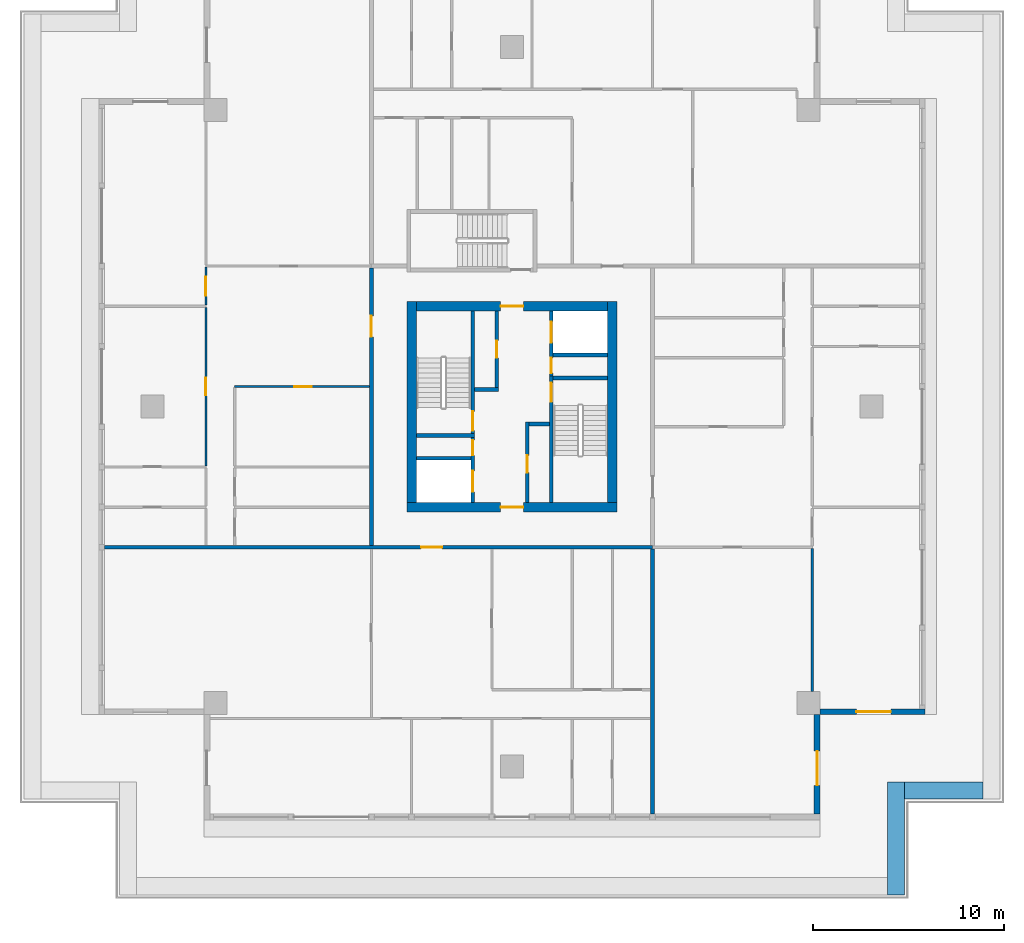
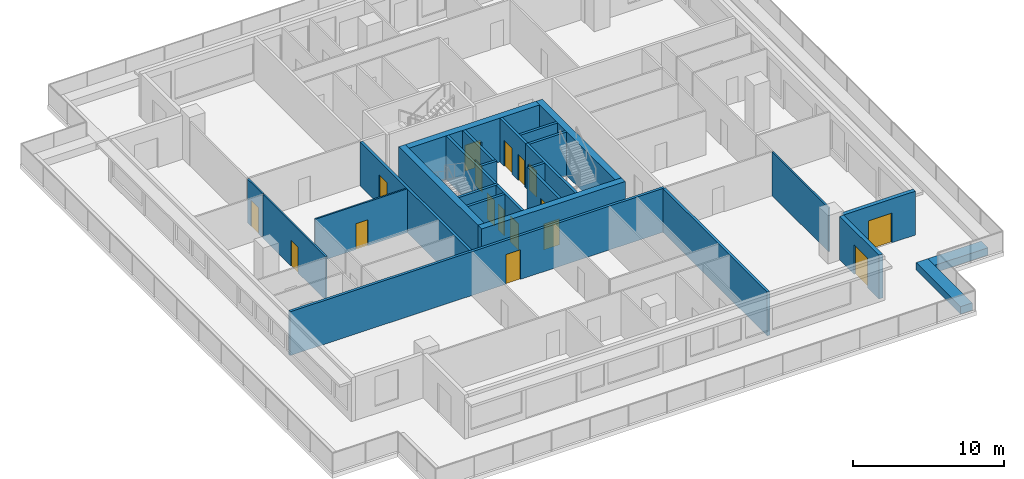
# One storey, part 3 of 11: 27 walls, 17 doors, 17 openings.
"""IFC4 building model written with IfcOpenShell, lengths in metres."""

from ifc_helpers import new_model, si_unit, direction, frame, frame_2d, origin, place, context, subcontext, project, spatial, rectangle, extrude, material, layer, layer_set, type_object, element, fill, save


model = new_model("IFC4")

# Units and contexts
model_context = context("Model", 3, precision=1e-05, world=origin(), true_north=direction((0.0, 1.0)))
body_context = subcontext(model_context, "Body", "Model", "MODEL_VIEW")
ifc_project = project(units=[si_unit("LENGTHUNIT", "METRE"), si_unit("AREAUNIT", "SQUARE_METRE"), si_unit("VOLUMEUNIT", "CUBIC_METRE"), si_unit("PLANEANGLEUNIT", "RADIAN"), si_unit("MASSUNIT", "GRAM", prefix="KILO")], contexts=[model_context])

# Site, building, storey
site_placement = place(None, origin())
site = spatial("IfcSite", under=ifc_project, at=site_placement, CompositionType="ELEMENT")
building_placement = place(site_placement, origin())
building = spatial("IfcBuilding", under=site, at=building_placement, Name="Khepri Terraces", CompositionType="ELEMENT")
storey_placement = place(building_placement, frame((0.0, 0.0, 292.800048828125)))
storey = spatial("IfcBuildingStorey", under=building, at=storey_placement, Name="L70", CompositionType="ELEMENT", Elevation=292.800048828125)

# Wall, opening, door
ifc_material_1 = material(Name="Concrete C40/50", Category="concrete")
ifc_layer_1 = layer(ifc_material_1, 0.199951171875, Name="Concrete C40/50", Category="concrete")
ifc_layer_set_1 = layer_set([ifc_layer_1], Name="Concrete C40/50")
wall_type_1 = type_object("IfcWallType", Name="Core wall 200 C40/50", PredefinedType="SHEAR", material=ifc_layer_set_1)
wall_1_placement = place(storey_placement, frame((2.050048828125, -5.0, 0.0), z_axis=(0.0, 0.0, 1.0), x_axis=(0.0, 1.0, 0.0)))
wall_1 = element("IfcWall", 1, at=wall_1_placement, inside=storey, type_object=wall_type_1, Name="Core wall ST01 L70", PredefinedType="SHEAR", context=body_context, shape_type="SweptSolid", body=[
    extrude(rectangle(XDim=6.60009765625, YDim=0.199951171875, at=frame_2d((3.300048828125, 0.0))), origin(), (0.0, 0.0, 1.0), 3.550048828125),
])
opening_1_placement = place(wall_1_placement, frame((5.25, 0.0, 0.0)))
opening_1 = element("IfcOpeningElement", 2, at=opening_1_placement, cuts=wall_1, Name="Opening L70-C04", PredefinedType="OPENING", context=body_context, shape_type="SweptSolid", body=[
    extrude(rectangle(XDim=1.0, YDim=2.10009765625, at=frame_2d((0.5, 1.050048828125))), frame((0.0, 0.10986328125, 0.0), z_axis=(0.0, -1.0, 0.0), x_axis=(1.0, 0.0, 0.0)), (0.0, 0.0, 1.0), 0.219970703125),
])
ifc_material_2 = material(Name="Painted steel", Category="steel")
door_type_1 = type_object("IfcDoorType", Name="DR-CORE-STAIR-1000", OperationType="NOTDEFINED", PredefinedType="DOOR", material=ifc_material_2)
door_1_placement = place(opening_1_placement, frame((1.0, 0.0, 0.0), z_axis=(0.0, 0.0, 1.0), x_axis=(-1.0, 0.0, 0.0)))
door_1 = element("IfcDoor", 3, at=door_1_placement, inside=storey, type_object=door_type_1, Name="Stair door L70-C04", OperationType="SINGLE_SWING_LEFT", OverallHeight=2.10009765625, OverallWidth=1.0, PredefinedType="DOOR", context=body_context, shape_type="SweptSolid", body=[
    extrude(rectangle(XDim=1.0, YDim=2.10009765625, at=frame_2d((0.5, 1.050048828125))), frame((0.0, 0.02490234375, 0.0), z_axis=(0.0, -1.0, 0.0), x_axis=(1.0, 0.0, 0.0)), (0.0, 0.0, 1.0), 0.050048828125),
])
fill(opening_1, door_1)

# Wall
wall_2_placement = place(storey_placement, frame((-5.0, -1.5, 0.0), z_axis=(0.0, 0.0, 1.0), x_axis=(1.0, 0.0, 0.0)))
element("IfcWall", 4, at=wall_2_placement, inside=storey, type_object=wall_type_1, Name="Core wall ST02 L70", PredefinedType="SHEAR", context=body_context, shape_type="SweptSolid", body=[
    extrude(rectangle(XDim=3.050048828125, YDim=0.199951171875, at=frame_2d((1.52490234375, 0.0))), origin(), (0.0, 0.0, 1.0), 3.550048828125),
])

# Wall, opening, door
wall_3_placement = place(storey_placement, frame((-2.050048828125, -1.39990234375, 0.0), z_axis=(0.0, 0.0, 1.0), x_axis=(0.0, 1.0, 0.0)))
wall_3 = element("IfcWall", 5, at=wall_3_placement, inside=storey, type_object=wall_type_1, Name="Core wall ST03 L70", PredefinedType="SHEAR", context=body_context, shape_type="SweptSolid", body=[
    extrude(rectangle(XDim=6.39990234375, YDim=0.199951171875, at=frame_2d((3.199951171875, 0.0))), origin(), (0.0, 0.0, 1.0), 3.550048828125),
])
opening_2_placement = place(wall_3_placement, frame((0.14990234375, 0.0, 0.0)))
opening_2 = element("IfcOpeningElement", 6, at=opening_2_placement, cuts=wall_3, Name="Opening L70-C03", PredefinedType="OPENING", context=body_context, shape_type="SweptSolid", body=[
    extrude(rectangle(XDim=1.0, YDim=2.10009765625, at=frame_2d((0.5, 1.050048828125))), frame((0.0, 0.10986328125, 0.0), z_axis=(0.0, -1.0, 0.0), x_axis=(1.0, 0.0, 0.0)), (0.0, 0.0, 1.0), 0.219970703125),
])
door_2_placement = place(opening_2_placement, origin())
door_2 = element("IfcDoor", 7, at=door_2_placement, inside=storey, type_object=door_type_1, Name="Stair door L70-C03", OperationType="SINGLE_SWING_LEFT", OverallHeight=2.10009765625, OverallWidth=1.0, PredefinedType="DOOR", context=body_context, shape_type="SweptSolid", body=[
    extrude(rectangle(XDim=1.0, YDim=2.10009765625, at=frame_2d((0.5, 1.050048828125))), frame((0.0, 0.02490234375, 0.0), z_axis=(0.0, -1.0, 0.0), x_axis=(1.0, 0.0, 0.0)), (0.0, 0.0, 1.0), 0.050048828125),
])
fill(opening_2, door_2)

# Wall
wall_4_placement = place(storey_placement, frame((2.14990234375, 1.5, 0.0), z_axis=(0.0, 0.0, 1.0), x_axis=(1.0, 0.0, 0.0)))
element("IfcWall", 8, at=wall_4_placement, inside=storey, type_object=wall_type_1, Name="Core wall ST04 L70", PredefinedType="SHEAR", context=body_context, shape_type="SweptSolid", body=[
    extrude(rectangle(XDim=2.85009765625, YDim=0.199951171875, at=frame_2d((1.425048828125, 0.0))), origin(), (0.0, 0.0, 1.0), 3.550048828125),
])

# Wall, openings, doors
wall_5_placement = place(storey_placement, frame((-2.050048828125, -5.0, 0.0), z_axis=(0.0, 0.0, 1.0), x_axis=(0.0, 1.0, 0.0)))
wall_5 = element("IfcWall", 9, at=wall_5_placement, inside=storey, type_object=wall_type_1, Name="Core wall SH01 L70", PredefinedType="SHEAR", context=body_context, shape_type="SweptSolid", body=[
    extrude(rectangle(XDim=3.39990234375, YDim=0.199951171875, at=frame_2d((1.699951171875, 0.0))), origin(), (0.0, 0.0, 1.0), 3.550048828125),
])
opening_3_placement = place(wall_5_placement, frame((0.550048828125, 0.0, 0.0)))
opening_3 = element("IfcOpeningElement", 10, at=opening_3_placement, cuts=wall_5, Name="Opening L70-C02", PredefinedType="OPENING", context=body_context, shape_type="SweptSolid", body=[
    extrude(rectangle(XDim=1.10009765625, YDim=2.10009765625, at=frame_2d((0.550048828125, 1.050048828125))), frame((0.0, 0.10986328125, 0.0), z_axis=(0.0, -1.0, 0.0), x_axis=(1.0, 0.0, 0.0)), (0.0, 0.0, 1.0), 0.219970703125),
])
opening_4_placement = place(wall_5_placement, frame((2.449951171875, 0.0, 0.0)))
opening_4 = element("IfcOpeningElement", 11, at=opening_4_placement, cuts=wall_5, Name="Opening L70-C06", PredefinedType="OPENING", context=body_context, shape_type="SweptSolid", body=[
    extrude(rectangle(XDim=0.800048828125, YDim=2.10009765625, at=frame_2d((0.39990234375, 1.050048828125))), frame((0.0, 0.10986328125, 0.0), z_axis=(0.0, -1.0, 0.0), x_axis=(1.0, 0.0, 0.0)), (0.0, 0.0, 1.0), 0.219970703125),
])
ifc_material_3 = material(Name="Stainless steel 304", Category="steel")
door_type_2 = type_object("IfcDoorType", Name="DR-CORE-FF-LANDING-1100", OperationType="NOTDEFINED", PredefinedType="DOOR", material=ifc_material_3)
door_3_placement = place(opening_3_placement, origin())
door_3 = element("IfcDoor", 12, at=door_3_placement, inside=storey, type_object=door_type_2, Name="Firefighting lift landing door L70-C02", OperationType="SLIDING_TO_LEFT", OverallHeight=2.10009765625, OverallWidth=1.10009765625, PredefinedType="DOOR", context=body_context, shape_type="SweptSolid", body=[
    extrude(rectangle(XDim=1.10009765625, YDim=2.10009765625, at=frame_2d((0.550048828125, 1.050048828125))), frame((0.0, 0.02490234375, 0.0), z_axis=(0.0, -1.0, 0.0), x_axis=(1.0, 0.0, 0.0)), (0.0, 0.0, 1.0), 0.050048828125),
])
fill(opening_3, door_3)
door_type_3 = type_object("IfcDoorType", Name="DR-CORE-RISER-800", OperationType="NOTDEFINED", PredefinedType="DOOR", material=ifc_material_2)
door_4_placement = place(opening_4_placement, origin())
door_4 = element("IfcDoor", 13, at=door_4_placement, inside=storey, type_object=door_type_3, Name="Riser door L70-C06", OperationType="SINGLE_SWING_RIGHT", OverallHeight=2.10009765625, OverallWidth=0.800048828125, PredefinedType="DOOR", context=body_context, shape_type="SweptSolid", body=[
    extrude(rectangle(XDim=0.800048828125, YDim=2.10009765625, at=frame_2d((0.39990234375, 1.050048828125))), frame((0.0, 0.02490234375, 0.0), z_axis=(0.0, -1.0, 0.0), x_axis=(1.0, 0.0, 0.0)), (0.0, 0.0, 1.0), 0.050048828125),
])
fill(opening_4, door_4)

# Wall, opening, door
wall_6_placement = place(storey_placement, frame((0.800048828125, -5.0, 0.0), z_axis=(0.0, 0.0, 1.0), x_axis=(0.0, 1.0, 0.0)))
wall_6 = element("IfcWall", 14, at=wall_6_placement, inside=storey, type_object=wall_type_1, Name="Core wall SH02 L70", PredefinedType="SHEAR", context=body_context, shape_type="SweptSolid", body=[
    extrude(rectangle(XDim=4.199951171875, YDim=0.199951171875, at=frame_2d((2.10009765625, 0.0))), origin(), (0.0, 0.0, 1.0), 3.550048828125),
])
opening_5_placement = place(wall_6_placement, frame((1.550048828125, 0.0, 0.0)))
opening_5 = element("IfcOpeningElement", 15, at=opening_5_placement, cuts=wall_6, Name="Opening L70-C09", PredefinedType="OPENING", context=body_context, shape_type="SweptSolid", body=[
    extrude(rectangle(XDim=0.89990234375, YDim=2.10009765625, at=frame_2d((0.449951171875, 1.050048828125))), frame((0.0, 0.10986328125, 0.0), z_axis=(0.0, -1.0, 0.0), x_axis=(1.0, 0.0, 0.0)), (0.0, 0.0, 1.0), 0.219970703125),
])
door_type_4 = type_object("IfcDoorType", Name="DR-CORE-SERVICE-900", OperationType="NOTDEFINED", PredefinedType="DOOR", material=ifc_material_2)
door_5_placement = place(opening_5_placement, frame((0.89990234375, 0.0, 0.0), z_axis=(0.0, 0.0, 1.0), x_axis=(-1.0, 0.0, 0.0)))
door_5 = element("IfcDoor", 16, at=door_5_placement, inside=storey, type_object=door_type_4, Name="Service room door L70-C09", OperationType="SINGLE_SWING_RIGHT", OverallHeight=2.10009765625, OverallWidth=0.89990234375, PredefinedType="DOOR", context=body_context, shape_type="SweptSolid", body=[
    extrude(rectangle(XDim=0.89990234375, YDim=2.10009765625, at=frame_2d((0.449951171875, 1.050048828125))), frame((0.0, 0.02490234375, 0.0), z_axis=(0.0, -1.0, 0.0), x_axis=(1.0, 0.0, 0.0)), (0.0, 0.0, 1.0), 0.050048828125),
])
fill(opening_5, door_5)

# Walls
wall_7_placement = place(storey_placement, frame((-5.0, -2.699951171875, 0.0), z_axis=(0.0, 0.0, 1.0), x_axis=(1.0, 0.0, 0.0)))
element("IfcWall", 17, at=wall_7_placement, inside=storey, type_object=wall_type_1, Name="Core wall SH03 L70", PredefinedType="SHEAR", context=body_context, shape_type="SweptSolid", body=[
    extrude(rectangle(XDim=2.85009765625, YDim=0.199951171875, at=frame_2d((1.425048828125, 0.0))), origin(), (0.0, 0.0, 1.0), 3.550048828125),
])
wall_8_placement = place(storey_placement, frame((0.89990234375, -0.89990234375, 0.0), z_axis=(0.0, 0.0, 1.0), x_axis=(1.0, 0.0, 0.0)))
element("IfcWall", 18, at=wall_8_placement, inside=storey, type_object=wall_type_1, Name="Core wall SH04 L70", PredefinedType="SHEAR", context=body_context, shape_type="SweptSolid", body=[
    extrude(rectangle(XDim=1.050048828125, YDim=0.199951171875, at=frame_2d((0.52490234375, 0.0))), origin(), (0.0, 0.0, 1.0), 3.550048828125),
])
wall_9_placement = place(storey_placement, frame((-1.949951171875, 0.89990234375, 0.0), z_axis=(0.0, 0.0, 1.0), x_axis=(1.0, 0.0, 0.0)))
element("IfcWall", 19, at=wall_9_placement, inside=storey, type_object=wall_type_1, Name="Core wall SH05 L70", PredefinedType="SHEAR", context=body_context, shape_type="SweptSolid", body=[
    extrude(rectangle(XDim=1.25, YDim=0.199951171875, at=frame_2d((0.625, 0.0))), origin(), (0.0, 0.0, 1.0), 3.550048828125),
])

# Wall, opening, door
wall_10_placement = place(storey_placement, frame((-0.800048828125, 1.0, 0.0), z_axis=(0.0, 0.0, 1.0), x_axis=(0.0, 1.0, 0.0)))
wall_10 = element("IfcWall", 20, at=wall_10_placement, inside=storey, type_object=wall_type_1, Name="Core wall SH06 L70", PredefinedType="SHEAR", context=body_context, shape_type="SweptSolid", body=[
    extrude(rectangle(XDim=4.0, YDim=0.199951171875, at=frame_2d((2.0, 0.0))), origin(), (0.0, 0.0, 1.0), 3.550048828125),
])
opening_6_placement = place(wall_10_placement, frame((1.550048828125, 0.0, 0.0)))
opening_6 = element("IfcOpeningElement", 21, at=opening_6_placement, cuts=wall_10, Name="Opening L70-C08", PredefinedType="OPENING", context=body_context, shape_type="SweptSolid", body=[
    extrude(rectangle(XDim=0.89990234375, YDim=2.10009765625, at=frame_2d((0.449951171875, 1.050048828125))), frame((0.0, 0.10986328125, 0.0), z_axis=(0.0, -1.0, 0.0), x_axis=(1.0, 0.0, 0.0)), (0.0, 0.0, 1.0), 0.219970703125),
])
door_6_placement = place(opening_6_placement, origin())
door_6 = element("IfcDoor", 22, at=door_6_placement, inside=storey, type_object=door_type_4, Name="Service room door L70-C08", OperationType="SINGLE_SWING_RIGHT", OverallHeight=2.10009765625, OverallWidth=0.89990234375, PredefinedType="DOOR", context=body_context, shape_type="SweptSolid", body=[
    extrude(rectangle(XDim=0.89990234375, YDim=2.10009765625, at=frame_2d((0.449951171875, 1.050048828125))), frame((0.0, 0.02490234375, 0.0), z_axis=(0.0, -1.0, 0.0), x_axis=(1.0, 0.0, 0.0)), (0.0, 0.0, 1.0), 0.050048828125),
])
fill(opening_6, door_6)

# Wall, openings, doors
wall_11_placement = place(storey_placement, frame((2.050048828125, 1.60009765625, 0.0), z_axis=(0.0, 0.0, 1.0), x_axis=(0.0, 1.0, 0.0)))
wall_11 = element("IfcWall", 23, at=wall_11_placement, inside=storey, type_object=wall_type_1, Name="Core wall SH07 L70", PredefinedType="SHEAR", context=body_context, shape_type="SweptSolid", body=[
    extrude(rectangle(XDim=3.39990234375, YDim=0.199951171875, at=frame_2d((1.699951171875, 0.0))), origin(), (0.0, 0.0, 1.0), 3.550048828125),
])
opening_7_placement = place(wall_11_placement, frame((1.75, 0.0, 0.0)))
opening_7 = element("IfcOpeningElement", 24, at=opening_7_placement, cuts=wall_11, Name="Opening L70-C01", PredefinedType="OPENING", context=body_context, shape_type="SweptSolid", body=[
    extrude(rectangle(XDim=1.10009765625, YDim=2.10009765625, at=frame_2d((0.550048828125, 1.050048828125))), frame((0.0, 0.10986328125, 0.0), z_axis=(0.0, -1.0, 0.0), x_axis=(1.0, 0.0, 0.0)), (0.0, 0.0, 1.0), 0.219970703125),
])
opening_8_placement = place(wall_11_placement, frame((0.14990234375, 0.0, 0.0)))
opening_8 = element("IfcOpeningElement", 25, at=opening_8_placement, cuts=wall_11, Name="Opening L70-C05", PredefinedType="OPENING", context=body_context, shape_type="SweptSolid", body=[
    extrude(rectangle(XDim=0.800048828125, YDim=2.10009765625, at=frame_2d((0.39990234375, 1.050048828125))), frame((0.0, 0.10986328125, 0.0), z_axis=(0.0, -1.0, 0.0), x_axis=(1.0, 0.0, 0.0)), (0.0, 0.0, 1.0), 0.219970703125),
])
door_7_placement = place(opening_7_placement, origin())
door_7 = element("IfcDoor", 26, at=door_7_placement, inside=storey, type_object=door_type_2, Name="Firefighting lift landing door L70-C01", OperationType="SLIDING_TO_LEFT", OverallHeight=2.10009765625, OverallWidth=1.10009765625, PredefinedType="DOOR", context=body_context, shape_type="SweptSolid", body=[
    extrude(rectangle(XDim=1.10009765625, YDim=2.10009765625, at=frame_2d((0.550048828125, 1.050048828125))), frame((0.0, 0.02490234375, 0.0), z_axis=(0.0, -1.0, 0.0), x_axis=(1.0, 0.0, 0.0)), (0.0, 0.0, 1.0), 0.050048828125),
])
fill(opening_7, door_7)
door_8_placement = place(opening_8_placement, frame((0.800048828125, 0.0, 0.0), z_axis=(0.0, 0.0, 1.0), x_axis=(-1.0, 0.0, 0.0)))
door_8 = element("IfcDoor", 27, at=door_8_placement, inside=storey, type_object=door_type_3, Name="Riser door L70-C05", OperationType="SINGLE_SWING_RIGHT", OverallHeight=2.10009765625, OverallWidth=0.800048828125, PredefinedType="DOOR", context=body_context, shape_type="SweptSolid", body=[
    extrude(rectangle(XDim=0.800048828125, YDim=2.10009765625, at=frame_2d((0.39990234375, 1.050048828125))), frame((0.0, 0.02490234375, 0.0), z_axis=(0.0, -1.0, 0.0), x_axis=(1.0, 0.0, 0.0)), (0.0, 0.0, 1.0), 0.050048828125),
])
fill(opening_8, door_8)

# Wall
wall_12_placement = place(storey_placement, frame((2.14990234375, 2.699951171875, 0.0), z_axis=(0.0, 0.0, 1.0), x_axis=(1.0, 0.0, 0.0)))
element("IfcWall", 28, at=wall_12_placement, inside=storey, type_object=wall_type_1, Name="Core wall SH08 L70", PredefinedType="SHEAR", context=body_context, shape_type="SweptSolid", body=[
    extrude(rectangle(XDim=2.85009765625, YDim=0.199951171875, at=frame_2d((1.425048828125, 0.0))), origin(), (0.0, 0.0, 1.0), 3.550048828125),
])

# Wall, opening, door
ifc_layer_2 = layer(ifc_material_1, 0.5, Name="Concrete C40/50", Category="concrete")
ifc_layer_set_2 = layer_set([ifc_layer_2], Name="Concrete C40/50")
wall_type_2 = type_object("IfcWallType", Name="Core wall 500 C40/50", PredefinedType="SHEAR", material=ifc_layer_set_2)
wall_13_placement = place(storey_placement, frame((-5.5, -5.25, 0.0), z_axis=(0.0, 0.0, 1.0), x_axis=(1.0, 0.0, 0.0)))
wall_13 = element("IfcWall", 29, at=wall_13_placement, inside=storey, type_object=wall_type_2, Name="Core wall BX01 L70", PredefinedType="SHEAR", context=body_context, shape_type="SweptSolid", body=[
    extrude(rectangle(XDim=11.0, YDim=0.5, at=frame_2d((5.5, 0.0))), origin(), (0.0, 0.0, 1.0), 3.550048828125),
])
opening_9_placement = place(wall_13_placement, frame((4.89990234375, 0.0, 0.0)))
opening_9 = element("IfcOpeningElement", 30, at=opening_9_placement, cuts=wall_13, Name="Opening L70-C11", PredefinedType="OPENING", context=body_context, shape_type="SweptSolid", body=[
    extrude(rectangle(XDim=1.199951171875, YDim=2.10009765625, at=frame_2d((0.60009765625, 1.050048828125))), frame((0.0, 0.260009765625, 0.0), z_axis=(0.0, -1.0, 0.0), x_axis=(1.0, 0.0, 0.0)), (0.0, 0.0, 1.0), 0.52001953125),
])
door_type_5 = type_object("IfcDoorType", Name="DR-CORE-FF-LOBBY-1200", OperationType="NOTDEFINED", PredefinedType="DOOR", material=ifc_material_2)
door_9_placement = place(opening_9_placement, frame((1.199951171875, 0.0, 0.0), z_axis=(0.0, 0.0, 1.0), x_axis=(-1.0, 0.0, 0.0)))
door_9 = element("IfcDoor", 31, at=door_9_placement, inside=storey, type_object=door_type_5, Name="Firefighting lobby door L70-C11", OperationType="SINGLE_SWING_LEFT", OverallHeight=2.10009765625, OverallWidth=1.199951171875, PredefinedType="DOOR", context=body_context, shape_type="SweptSolid", body=[
    extrude(rectangle(XDim=1.199951171875, YDim=2.10009765625, at=frame_2d((0.60009765625, 1.050048828125))), frame((0.0, 0.02490234375, 0.0), z_axis=(0.0, -1.0, 0.0), x_axis=(1.0, 0.0, 0.0)), (0.0, 0.0, 1.0), 0.050048828125),
])
fill(opening_9, door_9)

# Walls
for number, where, z_axis, x_axis, name in (
    (32, (-5.25, -5.0, 0.0), (0.0, 0.0, 1.0), (0.0, 1.0, 0.0), "Core wall BX02 L70"),
    (33, (5.25, -5.0, 0.0), (0.0, 0.0, 1.0), (0.0, 1.0, 0.0), "Core wall BX03 L70"),
):
    element("IfcWall", number, at=place(storey_placement, frame(where, z_axis=z_axis, x_axis=x_axis)), inside=storey, type_object=wall_type_2, Name=name, PredefinedType="SHEAR", context=body_context, shape_type="SweptSolid", body=[
        extrude(rectangle(XDim=10.5, YDim=0.5, at=frame_2d((5.25, 0.0))), origin(), (0.0, 0.0, 1.0), 3.550048828125),
    ])

# Wall, opening, door
wall_14_placement = place(storey_placement, frame((-5.0, 5.25, 0.0), z_axis=(0.0, 0.0, 1.0), x_axis=(1.0, 0.0, 0.0)))
wall_14 = element("IfcWall", 34, at=wall_14_placement, inside=storey, type_object=wall_type_2, Name="Core wall BX04 L70", PredefinedType="SHEAR", context=body_context, shape_type="SweptSolid", body=[
    extrude(rectangle(XDim=10.0, YDim=0.5, at=frame_2d((5.0, 0.0))), origin(), (0.0, 0.0, 1.0), 3.550048828125),
])
opening_10_placement = place(wall_14_placement, frame((4.39990234375, 0.0, 0.0)))
opening_10 = element("IfcOpeningElement", 35, at=opening_10_placement, cuts=wall_14, Name="Opening L70-C10", PredefinedType="OPENING", context=body_context, shape_type="SweptSolid", body=[
    extrude(rectangle(XDim=1.199951171875, YDim=2.10009765625, at=frame_2d((0.60009765625, 1.050048828125))), frame((0.0, 0.260009765625, 0.0), z_axis=(0.0, -1.0, 0.0), x_axis=(1.0, 0.0, 0.0)), (0.0, 0.0, 1.0), 0.52001953125),
])
door_10_placement = place(opening_10_placement, origin())
door_10 = element("IfcDoor", 36, at=door_10_placement, inside=storey, type_object=door_type_5, Name="Firefighting lobby door L70-C10", OperationType="SINGLE_SWING_RIGHT", OverallHeight=2.10009765625, OverallWidth=1.199951171875, PredefinedType="DOOR", context=body_context, shape_type="SweptSolid", body=[
    extrude(rectangle(XDim=1.199951171875, YDim=2.10009765625, at=frame_2d((0.60009765625, 1.050048828125))), frame((0.0, 0.02490234375, 0.0), z_axis=(0.0, -1.0, 0.0), x_axis=(1.0, 0.0, 0.0)), (0.0, 0.0, 1.0), 0.050048828125),
])
fill(opening_10, door_10)

# Wall
ifc_material_4 = material(Name="Fire-rated gypsum plasterboard partition, mineral wool")
ifc_layer_3 = layer(ifc_material_4, 0.199951171875, Name="Fire-rated gypsum plasterboard partition, mineral wool")
ifc_layer_set_3 = layer_set([ifc_layer_3], Name="Fire-rated gypsum plasterboard partition, mineral wool")
wall_type_3 = type_object("IfcWallType", Name="WL-CORR-200", PredefinedType="PARTITIONING", material=ifc_layer_set_3)
wall_15_placement = place(storey_placement, frame((7.35009765625, -21.300048828125, 0.0), z_axis=(0.0, 0.0, 1.0), x_axis=(0.0, 1.0, 0.0)))
element("IfcWall", 37, at=wall_15_placement, inside=storey, type_object=wall_type_3, Name="Partition P-005 L70", PredefinedType="PARTITIONING", context=body_context, shape_type="SweptSolid", body=[
    extrude(rectangle(XDim=13.85009765625, YDim=0.199951171875, at=frame_2d((6.925048828125, 0.0))), origin(), (0.0, 0.0, 1.0), 3.550048828125),
])

# Wall, opening, door
wall_16_placement = place(storey_placement, frame((-21.300048828125, -7.35009765625, 0.0), z_axis=(0.0, 0.0, 1.0), x_axis=(1.0, 0.0, 0.0)))
wall_16 = element("IfcWall", 38, at=wall_16_placement, inside=storey, type_object=wall_type_3, Name="Partition P-013 L70", PredefinedType="PARTITIONING", context=body_context, shape_type="SweptSolid", body=[
    extrude(rectangle(XDim=28.650146484375, YDim=0.199951171875, at=frame_2d((14.3251953125, 0.0))), origin(), (0.0, 0.0, 1.0), 3.550048828125),
])
opening_11_placement = place(wall_16_placement, frame((16.550048828125, 0.0, 0.0)))
opening_11 = element("IfcOpeningElement", 39, at=opening_11_placement, cuts=wall_16, Name="Opening D1", PredefinedType="OPENING", context=body_context, shape_type="SweptSolid", body=[
    extrude(rectangle(XDim=1.10009765625, YDim=2.39990234375, at=frame_2d((0.550048828125, 1.199951171875))), frame((0.0, 0.10986328125, 0.0), z_axis=(0.0, -1.0, 0.0), x_axis=(1.0, 0.0, 0.0)), (0.0, 0.0, 1.0), 0.219970703125),
])
ifc_material_5 = material(Name="Solid-core timber door leaf, flat entrance door", Category="wood")
door_type_6 = type_object("IfcDoorType", Name="DR-ENT-1100", OperationType="NOTDEFINED", PredefinedType="DOOR", material=ifc_material_5)
door_11_placement = place(opening_11_placement, frame((1.10009765625, 0.0, 0.0), z_axis=(0.0, 0.0, 1.0), x_axis=(-1.0, 0.0, 0.0)))
door_11 = element("IfcDoor", 40, at=door_11_placement, inside=storey, type_object=door_type_6, Name="Flat A1 entrance door", OperationType="SINGLE_SWING_LEFT", OverallHeight=2.39990234375, OverallWidth=1.10009765625, PredefinedType="DOOR", context=body_context, shape_type="SweptSolid", body=[
    extrude(rectangle(XDim=1.10009765625, YDim=2.39990234375, at=frame_2d((0.550048828125, 1.199951171875))), frame((0.0, 0.02490234375, 0.0), z_axis=(0.0, -1.0, 0.0), x_axis=(1.0, 0.0, 0.0)), (0.0, 0.0, 1.0), 0.050048828125),
])
fill(opening_11, door_11)

wall_17_placement = place(storey_placement, frame((-7.35009765625, -7.25, 0.0), z_axis=(0.0, 0.0, 1.0), x_axis=(0.0, 1.0, 0.0)))
wall_17 = element("IfcWall", 41, at=wall_17_placement, inside=storey, type_object=wall_type_3, Name="Partition P-018 L70", PredefinedType="PARTITIONING", context=body_context, shape_type="SweptSolid", body=[
    extrude(rectangle(XDim=14.5, YDim=0.199951171875, at=frame_2d((7.25, 0.0))), origin(), (0.0, 0.0, 1.0), 3.550048828125),
])
opening_12_placement = place(wall_17_placement, frame((10.89990234375, 0.0, 0.0)))
opening_12 = element("IfcOpeningElement", 42, at=opening_12_placement, cuts=wall_17, Name="Opening D1", PredefinedType="OPENING", context=body_context, shape_type="SweptSolid", body=[
    extrude(rectangle(XDim=1.10009765625, YDim=2.39990234375, at=frame_2d((0.550048828125, 1.199951171875))), frame((0.0, 0.10986328125, 0.0), z_axis=(0.0, -1.0, 0.0), x_axis=(1.0, 0.0, 0.0)), (0.0, 0.0, 1.0), 0.219970703125),
])
door_12_placement = place(opening_12_placement, origin())
door_12 = element("IfcDoor", 43, at=door_12_placement, inside=storey, type_object=door_type_6, Name="Flat D1 entrance door", OperationType="SINGLE_SWING_RIGHT", OverallHeight=2.39990234375, OverallWidth=1.10009765625, PredefinedType="DOOR", context=body_context, shape_type="SweptSolid", body=[
    extrude(rectangle(XDim=1.10009765625, YDim=2.39990234375, at=frame_2d((0.550048828125, 1.199951171875))), frame((0.0, 0.02490234375, 0.0), z_axis=(0.0, -1.0, 0.0), x_axis=(1.0, 0.0, 0.0)), (0.0, 0.0, 1.0), 0.050048828125),
])
fill(opening_12, door_12)

ifc_material_6 = material(Name="Precast concrete C50/60 warm stone", Category="masonry")
ifc_layer_4 = layer(ifc_material_6, 0.300048828125, Name="Precast concrete C50/60 warm stone", Category="masonry")
ifc_layer_set_4 = layer_set([ifc_layer_4], Name="Precast concrete C50/60 warm stone")
wall_type_4 = type_object("IfcWallType", Name="WL-EXT-PRECAST-300", PredefinedType="STANDARD", material=ifc_layer_set_4)
wall_18_placement = place(storey_placement, frame((15.949951171875, -21.300048828125, 0.0), z_axis=(0.0, 0.0, 1.0), x_axis=(0.0, 1.0, 0.0)))
wall_18 = element("IfcWall", 44, at=wall_18_placement, inside=storey, type_object=wall_type_4, Name="External wall L70 E", PredefinedType="STANDARD", context=body_context, shape_type="SweptSolid", body=[
    extrude(rectangle(XDim=5.199951171875, YDim=0.300048828125, at=frame_2d((2.60009765625, 0.0))), origin(), (0.0, 0.0, 1.0), 3.550048828125),
])
opening_13_placement = place(wall_18_placement, frame((1.5, 0.0, 0.0)))
opening_13 = element("IfcOpeningElement", 45, at=opening_13_placement, cuts=wall_18, Name="Opening ED-L70-14", PredefinedType="OPENING", context=body_context, shape_type="SweptSolid", body=[
    extrude(rectangle(XDim=1.800048828125, YDim=2.39990234375, at=frame_2d((0.89990234375, 1.199951171875))), frame((0.0, 0.16015625, 0.0), z_axis=(0.0, -1.0, 0.0), x_axis=(1.0, 0.0, 0.0)), (0.0, 0.0, 1.0), 0.320068359375),
])
ifc_material_7 = material(Name="Anodised aluminium bronze glazed door", Category="aluminium")
door_type_7 = type_object("IfcDoorType", Name="DR-BAL-SLIDE-1800x2400", OperationType="NOTDEFINED", PredefinedType="DOOR", material=ifc_material_7)
door_13_placement = place(opening_13_placement, origin())
door_13 = element("IfcDoor", 46, at=door_13_placement, inside=storey, type_object=door_type_7, Name="Balcony door L70 E", OperationType="SLIDING_TO_RIGHT", OverallHeight=2.39990234375, OverallWidth=1.800048828125, PredefinedType="DOOR", context=body_context, shape_type="SweptSolid", body=[
    extrude(rectangle(XDim=1.800048828125, YDim=2.39990234375, at=frame_2d((0.89990234375, 1.199951171875))), frame((0.0, 0.02490234375, 0.0), z_axis=(0.0, -1.0, 0.0), x_axis=(1.0, 0.0, 0.0)), (0.0, 0.0, 1.0), 0.050048828125),
])
fill(opening_13, door_13)

wall_19_placement = place(storey_placement, frame((16.10009765625, -15.949951171875, 0.0), z_axis=(0.0, 0.0, 1.0), x_axis=(1.0, 0.0, 0.0)))
wall_19 = element("IfcWall", 47, at=wall_19_placement, inside=storey, type_object=wall_type_4, Name="External wall L70 S", PredefinedType="STANDARD", context=body_context, shape_type="SweptSolid", body=[
    extrude(rectangle(XDim=5.5, YDim=0.300048828125, at=frame_2d((2.75, 0.0))), origin(), (0.0, 0.0, 1.0), 3.550048828125),
])
opening_14_placement = place(wall_19_placement, frame((1.89990234375, 0.0, 0.0)))
opening_14 = element("IfcOpeningElement", 48, at=opening_14_placement, cuts=wall_19, Name="Opening ED-L70-15", PredefinedType="OPENING", context=body_context, shape_type="SweptSolid", body=[
    extrude(rectangle(XDim=1.800048828125, YDim=2.39990234375, at=frame_2d((0.89990234375, 1.199951171875))), frame((0.0, 0.16015625, 0.0), z_axis=(0.0, -1.0, 0.0), x_axis=(1.0, 0.0, 0.0)), (0.0, 0.0, 1.0), 0.320068359375),
])
door_14_placement = place(opening_14_placement, origin())
door_14 = element("IfcDoor", 49, at=door_14_placement, inside=storey, type_object=door_type_7, Name="Balcony door L70 S", OperationType="SLIDING_TO_LEFT", OverallHeight=2.39990234375, OverallWidth=1.800048828125, PredefinedType="DOOR", context=body_context, shape_type="SweptSolid", body=[
    extrude(rectangle(XDim=1.800048828125, YDim=2.39990234375, at=frame_2d((0.89990234375, 1.199951171875))), frame((0.0, 0.02490234375, 0.0), z_axis=(0.0, -1.0, 0.0), x_axis=(1.0, 0.0, 0.0)), (0.0, 0.0, 1.0), 0.050048828125),
])
fill(opening_14, door_14)

# Wall
ifc_material_8 = material(Name="Gypsum plasterboard partition")
ifc_layer_5 = layer(ifc_material_8, 0.1201171875, Name="Gypsum plasterboard partition")
ifc_layer_set_5 = layer_set([ifc_layer_5], Name="Gypsum plasterboard partition")
wall_type_5 = type_object("IfcWallType", Name="WL-PART-120", PredefinedType="PARTITIONING", material=ifc_layer_set_5)
wall_20_placement = place(storey_placement, frame((15.699951171875, -14.89990234375, 0.0), z_axis=(0.0, 0.0, 1.0), x_axis=(0.0, 1.0, 0.0)))
element("IfcWall", 50, at=wall_20_placement, inside=storey, type_object=wall_type_5, Name="Partition P-008 L70", PredefinedType="PARTITIONING", context=body_context, shape_type="SweptSolid", body=[
    extrude(rectangle(XDim=7.489990234375, YDim=0.1201171875, at=frame_2d((3.7451171875, 0.0))), origin(), (0.0, 0.0, 1.0), 3.550048828125),
])

# Wall, opening, door
wall_21_placement = place(storey_placement, frame((-16.0, -3.090087890625, 0.0), z_axis=(0.0, 0.0, 1.0), x_axis=(0.0, 1.0, 0.0)))
wall_21 = element("IfcWall", 51, at=wall_21_placement, inside=storey, type_object=wall_type_5, Name="Partition P-028 L70", PredefinedType="PARTITIONING", context=body_context, shape_type="SweptSolid", body=[
    extrude(rectangle(XDim=8.280029296875, YDim=0.1201171875, at=frame_2d((4.14013671875, 0.0))), origin(), (0.0, 0.0, 1.0), 3.550048828125),
])
opening_15_placement = place(wall_21_placement, frame((3.68994140625, 0.0, 0.0)))
opening_15 = element("IfcOpeningElement", 52, at=opening_15_placement, cuts=wall_21, Name="Opening D3", PredefinedType="OPENING", context=body_context, shape_type="SweptSolid", body=[
    extrude(rectangle(XDim=0.89990234375, YDim=2.10009765625, at=frame_2d((0.449951171875, 1.050048828125))), frame((0.0, 0.070068359375, 0.0), z_axis=(0.0, -1.0, 0.0), x_axis=(1.0, 0.0, 0.0)), (0.0, 0.0, 1.0), 0.14013671875),
])
ifc_material_9 = material(Name="Timber door leaf", Category="wood")
door_type_8 = type_object("IfcDoorType", Name="DR-INT-900", OperationType="NOTDEFINED", PredefinedType="DOOR", material=ifc_material_9)
door_15_placement = place(opening_15_placement, origin())
door_15 = element("IfcDoor", 53, at=door_15_placement, inside=storey, type_object=door_type_8, Name="Door Master Bedroom", OperationType="SINGLE_SWING_LEFT", OverallHeight=2.10009765625, OverallWidth=0.89990234375, PredefinedType="DOOR", context=body_context, shape_type="SweptSolid", body=[
    extrude(rectangle(XDim=0.89990234375, YDim=2.10009765625, at=frame_2d((0.449951171875, 1.050048828125))), frame((0.0, 0.02490234375, 0.0), z_axis=(0.0, -1.0, 0.0), x_axis=(1.0, 0.0, 0.0)), (0.0, 0.0, 1.0), 0.050048828125),
])
fill(opening_15, door_15)

wall_22_placement = place(storey_placement, frame((-14.5, 1.050048828125, 0.0), z_axis=(0.0, 0.0, 1.0), x_axis=(1.0, 0.0, 0.0)))
wall_22 = element("IfcWall", 54, at=wall_22_placement, inside=storey, type_object=wall_type_5, Name="Partition P-032 L70", PredefinedType="PARTITIONING", context=body_context, shape_type="SweptSolid", body=[
    extrude(rectangle(XDim=7.050048828125, YDim=0.1201171875, at=frame_2d((3.52490234375, 0.0))), origin(), (0.0, 0.0, 1.0), 3.550048828125),
])
opening_16_placement = place(wall_22_placement, frame((3.125, 0.0, 0.0)))
opening_16 = element("IfcOpeningElement", 55, at=opening_16_placement, cuts=wall_22, Name="Opening D3", PredefinedType="OPENING", context=body_context, shape_type="SweptSolid", body=[
    extrude(rectangle(XDim=0.89990234375, YDim=2.10009765625, at=frame_2d((0.449951171875, 1.050048828125))), frame((0.0, 0.070068359375, 0.0), z_axis=(0.0, -1.0, 0.0), x_axis=(1.0, 0.0, 0.0)), (0.0, 0.0, 1.0), 0.14013671875),
])
door_16_placement = place(opening_16_placement, frame((0.89990234375, 0.0, 0.0), z_axis=(0.0, 0.0, 1.0), x_axis=(-1.0, 0.0, 0.0)))
door_16 = element("IfcDoor", 56, at=door_16_placement, inside=storey, type_object=door_type_8, Name="Door Kitchen", OperationType="SINGLE_SWING_LEFT", OverallHeight=2.10009765625, OverallWidth=0.89990234375, PredefinedType="DOOR", context=body_context, shape_type="SweptSolid", body=[
    extrude(rectangle(XDim=0.89990234375, YDim=2.10009765625, at=frame_2d((0.449951171875, 1.050048828125))), frame((0.0, 0.02490234375, 0.0), z_axis=(0.0, -1.0, 0.0), x_axis=(1.0, 0.0, 0.0)), (0.0, 0.0, 1.0), 0.050048828125),
])
fill(opening_16, door_16)

wall_23_placement = place(storey_placement, frame((-16.0, 5.31005859375, 0.0), z_axis=(0.0, 0.0, 1.0), x_axis=(0.0, 1.0, 0.0)))
wall_23 = element("IfcWall", 57, at=wall_23_placement, inside=storey, type_object=wall_type_5, Name="Partition P-041 L70", PredefinedType="PARTITIONING", context=body_context, shape_type="SweptSolid", body=[
    extrude(rectangle(XDim=1.97998046875, YDim=0.1201171875, at=frame_2d((0.989990234375, 0.0))), origin(), (0.0, 0.0, 1.0), 3.550048828125),
])
opening_17_placement = place(wall_23_placement, frame((0.489990234375, 0.0, 0.0)))
opening_17 = element("IfcOpeningElement", 58, at=opening_17_placement, cuts=wall_23, Name="Opening D2", PredefinedType="OPENING", context=body_context, shape_type="SweptSolid", body=[
    extrude(rectangle(XDim=1.0, YDim=2.10009765625, at=frame_2d((0.5, 1.050048828125))), frame((0.0, 0.070068359375, 0.0), z_axis=(0.0, -1.0, 0.0), x_axis=(1.0, 0.0, 0.0)), (0.0, 0.0, 1.0), 0.14013671875),
])
ifc_material_10 = material(Name="Timber door leaf, living room door", Category="wood")
door_type_9 = type_object("IfcDoorType", Name="DR-INT-1000", OperationType="NOTDEFINED", PredefinedType="DOOR", material=ifc_material_10)
door_17_placement = place(opening_17_placement, origin())
door_17 = element("IfcDoor", 59, at=door_17_placement, inside=storey, type_object=door_type_9, Name="Door Living Room", OperationType="SINGLE_SWING_RIGHT", OverallHeight=2.10009765625, OverallWidth=1.0, PredefinedType="DOOR", context=body_context, shape_type="SweptSolid", body=[
    extrude(rectangle(XDim=1.0, YDim=2.10009765625, at=frame_2d((0.5, 1.050048828125))), frame((0.0, 0.02490234375, 0.0), z_axis=(0.0, -1.0, 0.0), x_axis=(1.0, 0.0, 0.0)), (0.0, 0.0, 1.0), 0.050048828125),
])
fill(opening_17, door_17)

# Walls
ifc_layer_6 = layer(ifc_material_6, 0.89990234375, Name="Precast concrete C50/60 warm stone", Category="masonry")
ifc_layer_set_6 = layer_set([ifc_layer_6], Name="Precast concrete C50/60 warm stone")
wall_type_6 = type_object("IfcWallType", Name="WL-PLANTER-900", PredefinedType="MOVABLE", material=ifc_layer_set_6)
wall_24_placement = place(storey_placement, frame((20.070068359375, -25.52001953125, 0.0), z_axis=(0.0, 0.0, 1.0), x_axis=(0.0, 1.0, 0.0)))
element("IfcWall", 60, at=wall_24_placement, inside=storey, type_object=wall_type_6, Name="Planter L70", PredefinedType="MOVABLE", context=body_context, shape_type="SweptSolid", body=[
    extrude(rectangle(XDim=5.89990234375, YDim=0.89990234375, at=frame_2d((2.949951171875, 0.0))), origin(), (0.0, 0.0, 1.0), 0.599853515625),
])
wall_25_placement = place(storey_placement, frame((20.52001953125, -20.070068359375, 0.0), z_axis=(0.0, 0.0, 1.0), x_axis=(1.0, 0.0, 0.0)))
element("IfcWall", 61, at=wall_25_placement, inside=storey, type_object=wall_type_6, Name="Planter L70", PredefinedType="MOVABLE", context=body_context, shape_type="SweptSolid", body=[
    extrude(rectangle(XDim=4.10009765625, YDim=0.89990234375, at=frame_2d((2.050048828125, 0.0))), origin(), (0.0, 0.0, 1.0), 0.599853515625),
])

save(model, "model.ifc")
